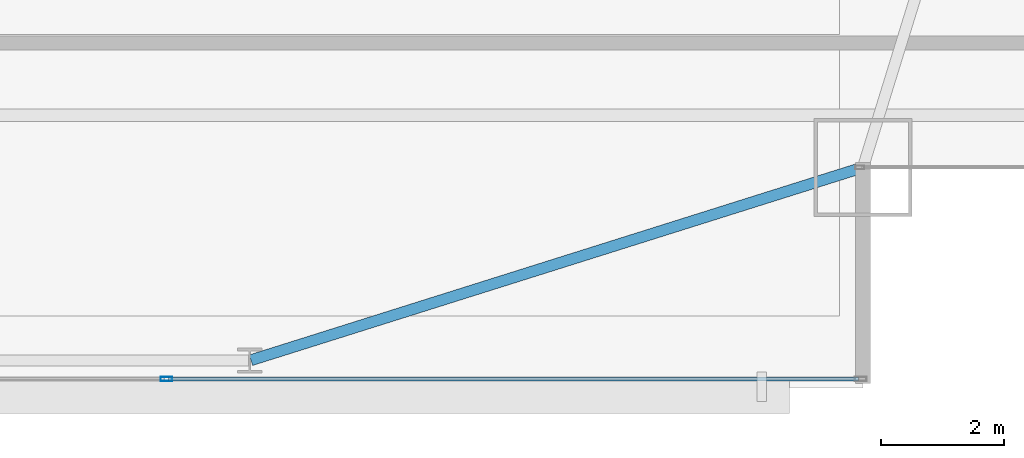
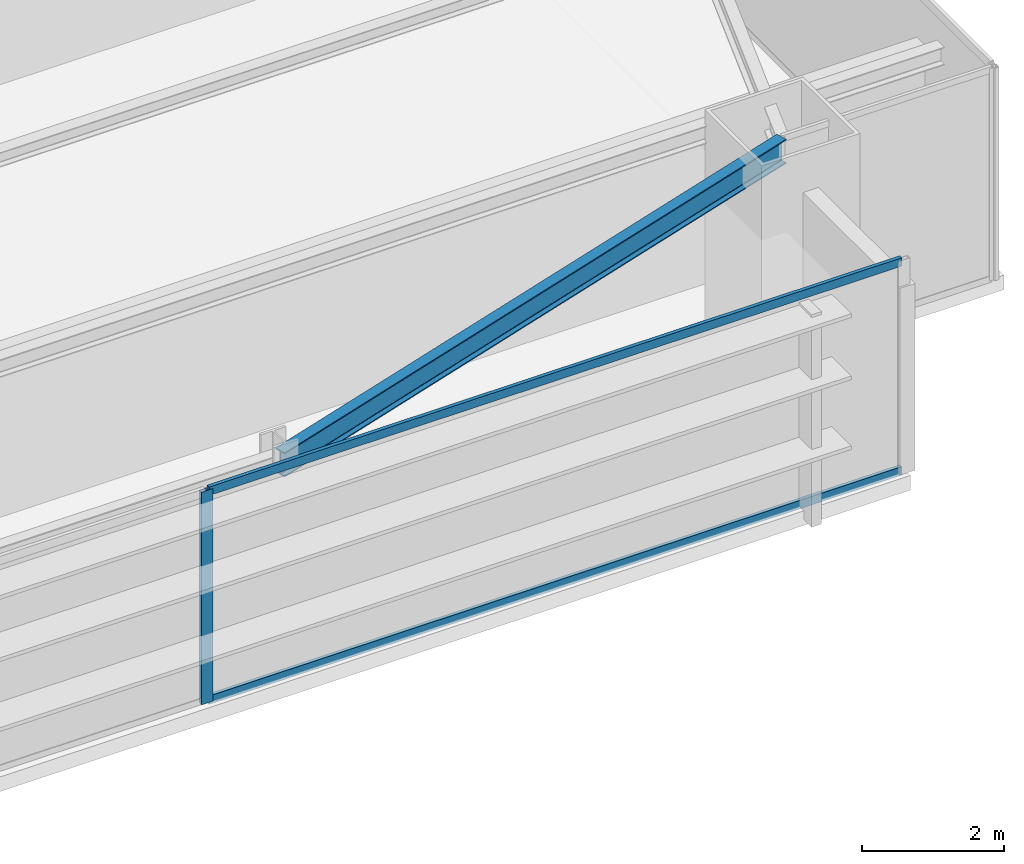
# One storey, part 14 of 35: 3 members, 1 beam, 1 element without a shape of its own.
"""IFC4 building model written with IfcOpenShell, lengths in metres."""

from ifc_helpers import new_model, si_unit, direction, frame, origin, origin_2d, place, context, subcontext, project, spatial, hollow_rectangle, i_section, extrude, source, transform, mapped, material, layer, layer_set, material_profile, profile_set, type_object, type_shapes, element, aggregate, save


model = new_model("IFC4")

# Units and contexts
model_context = context("Model", 3, precision=1e-05, world=origin(), true_north=direction((0.0, 1.0)))
body_context = subcontext(model_context, "Body", "Model", "MODEL_VIEW")
ifc_project = project(units=[si_unit("LENGTHUNIT", "METRE"), si_unit("AREAUNIT", "SQUARE_METRE"), si_unit("VOLUMEUNIT", "CUBIC_METRE"), si_unit("PLANEANGLEUNIT", "RADIAN"), si_unit("MASSUNIT", "GRAM", prefix="KILO")], contexts=[model_context])

# Site, building, storey
site_placement = place(None, origin())
site = spatial("IfcSite", under=ifc_project, at=site_placement, CompositionType="ELEMENT")
building_placement = place(site_placement, origin())
building = spatial("IfcBuilding", under=site, at=building_placement, Name="Varnel Quay Broadcast Tower", CompositionType="ELEMENT")
storey_placement = place(building_placement, frame((0.0, 0.0, 31.5)))
storey = spatial("IfcBuildingStorey", under=building, at=storey_placement, Name="L06", CompositionType="ELEMENT", Elevation=31.5)

# Beam
ifc_material_1 = material(Name="Structural Steel CSA G40.21 350W", Category="steel")
ifc_material_profile_1 = material_profile(ifc_material_1, i_section(OverallWidth=0.180908203125, OverallDepth=0.4169921875, WebThickness=0.010986328125, FlangeThickness=0.018310546875, FilletRadius=0.011962890625, at=origin_2d()), Name="W410X85")
ifc_profile_set_1 = profile_set([ifc_material_profile_1], Name="Structural Steel CSA G40.21 350W")
beam_type = type_object("IfcBeamType", Name="Beam_W410X85", PredefinedType="SPANDREL", material=ifc_profile_set_1)
shared_shape_1 = source(origin(), body_context, "Body", "SweptSolid", [
    extrude(i_section(OverallWidth=0.180908203125, OverallDepth=0.4169921875, WebThickness=0.010986328125, FlangeThickness=0.018310546875, FilletRadius=0.011962890625, at=origin_2d()), origin(), (0.0, 0.0, 1.0), 10.444091796875),
])
type_shapes(beam_type, [shared_shape_1])
beam_placement = place(storey_placement, frame((52.419189453125, 1.656005859375, 3.44140625), z_axis=(0.953798277271, 0.300447743003, 0.0), x_axis=(-0.300447743003, 0.953798277271, 0.0)))
element("IfcBeam", 1, at=beam_placement, inside=storey, type_object=beam_type, Name="L06 South Spandrel TC-S5-MC-SE", PredefinedType="SPANDREL", context=body_context, shape_type="MappedRepresentation", body=[
    mapped(shared_shape_1, transform((0.0, 0.0, 0.0), x_axis=(1.0, 0.0, 0.0), y_axis=(0.0, 1.0, 0.0), z_axis=(0.0, 0.0, 1.0), scale=1.0)),
])

# Curtain wall, members
ifc_material_2 = material(Name="Anodised Bronze Aluminium 6063-T6", Category="aluminium")
ifc_layer = layer(ifc_material_2, 0.18994140625, Name="Anodised Bronze Aluminium 6063-T6")
ifc_layer_set = layer_set([ifc_layer], Name="Anodised Bronze Aluminium 6063-T6")
curtain_wall_type = type_object("IfcCurtainWallType", Name="CW_LowerTower", PredefinedType="NOTDEFINED", material=ifc_layer_set)
curtain_wall_placement = place(storey_placement, origin())
curtain_wall = element("IfcCurtainWall", 2, at=curtain_wall_placement, inside=storey, type_object=curtain_wall_type, Name="L06 South Unitised Curtain Wall 1", PredefinedType="NOTDEFINED")
ifc_material_profile_2 = material_profile(ifc_material_2, hollow_rectangle(XDim=0.070068359375, YDim=0.18994140625, WallThickness=0.00390625, at=origin_2d()), Name="ALU70X190X4")
ifc_profile_set_2 = profile_set([ifc_material_profile_2], Name="Anodised Bronze Aluminium 6063-T6")
member_type_1 = type_object("IfcMemberType", Name="Mull_CWS-02", PredefinedType="MULLION", material=ifc_profile_set_2)
shared_shape_2 = source(origin(), body_context, "Body", "SweptSolid", [
    extrude(hollow_rectangle(XDim=0.070068359375, YDim=0.18994140625, WallThickness=0.00390625, at=origin_2d()), origin(), (0.0, 0.0, 1.0), 3.64990234375),
])
type_shapes(member_type_1, [shared_shape_2])
member_1_placement = place(storey_placement, frame((51.0400390625, 1.35009765625, 0.0), z_axis=(0.0, 0.0, 1.0), x_axis=(0.0, 1.0, 0.0)))
member_1 = element("IfcMember", 3, at=member_1_placement, type_object=member_type_1, Name="CWS-02 mullion 5", PredefinedType="MULLION", context=body_context, shape_type="MappedRepresentation", body=[
    mapped(shared_shape_2, transform((0.0, 0.0, 0.0), x_axis=(1.0, 0.0, 0.0), y_axis=(0.0, 1.0, 0.0), z_axis=(0.0, 0.0, 1.0), scale=1.0)),
])
ifc_material_profile_3 = material_profile(ifc_material_2, hollow_rectangle(XDim=0.06005859375, YDim=0.14501953125, WallThickness=0.00341796875, at=origin_2d()), Name="ALU60X145X3.5")
ifc_profile_set_3 = profile_set([ifc_material_profile_3], Name="Anodised Bronze Aluminium 6063-T6")
member_type_2 = type_object("IfcMemberType", Name="Tran_CWS-02", PredefinedType="USERDEFINED", material=ifc_profile_set_3)
shared_shape_3 = source(origin(), body_context, "Body", "SweptSolid", [
    extrude(hollow_rectangle(XDim=0.06005859375, YDim=0.14501953125, WallThickness=0.00341796875, at=origin_2d()), origin(), (0.0, 0.0, 1.0), 11.255126953125),
])
type_shapes(member_type_2, [shared_shape_3])
member_2_placement = place(storey_placement, frame((51.074951171875, 1.35009765625, 0.030029296875), z_axis=(1.0, 0.0, 0.0), x_axis=(0.0, 1.0, 0.0)))
member_2 = element("IfcMember", 4, at=member_2_placement, type_object=member_type_2, Name="CWS-02 transom 5.1", ObjectType="TRANSOM", PredefinedType="USERDEFINED", context=body_context, shape_type="MappedRepresentation", body=[
    mapped(shared_shape_3, transform((0.0, 0.0, 0.0), x_axis=(1.0, 0.0, 0.0), y_axis=(0.0, 1.0, 0.0), z_axis=(0.0, 0.0, 1.0), scale=1.0)),
])
member_3_placement = place(storey_placement, frame((51.074951171875, 1.35009765625, 3.6201171875), z_axis=(1.0, 0.0, 0.0), x_axis=(0.0, 1.0, 0.0)))
member_3 = element("IfcMember", 5, at=member_3_placement, type_object=member_type_2, Name="CWS-02 transom 5.2", ObjectType="TRANSOM", PredefinedType="USERDEFINED", context=body_context, shape_type="MappedRepresentation", body=[
    mapped(shared_shape_3, transform((0.0, 0.0, 0.0), x_axis=(1.0, 0.0, 0.0), y_axis=(0.0, 1.0, 0.0), z_axis=(0.0, 0.0, 1.0), scale=1.0)),
])
aggregate(curtain_wall, [member_1, member_2, member_3])

save(model, "model.ifc")
